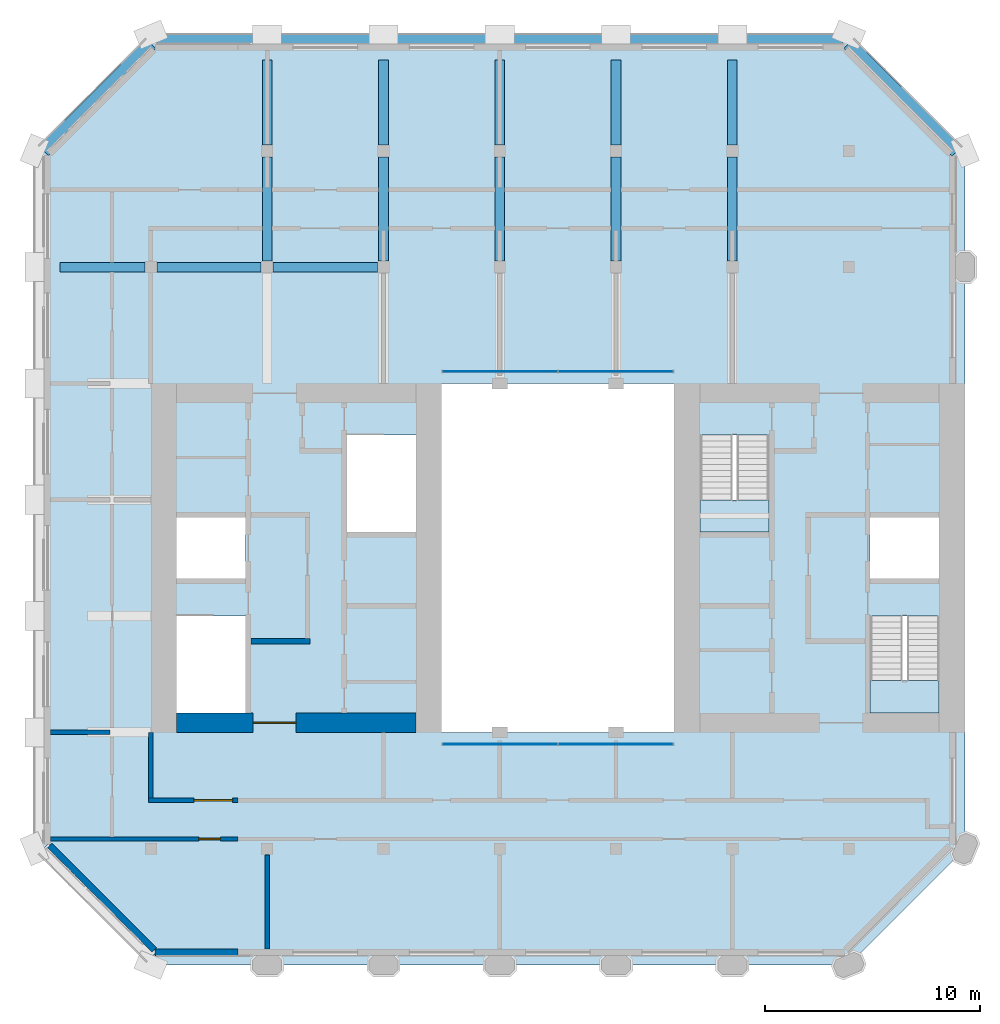
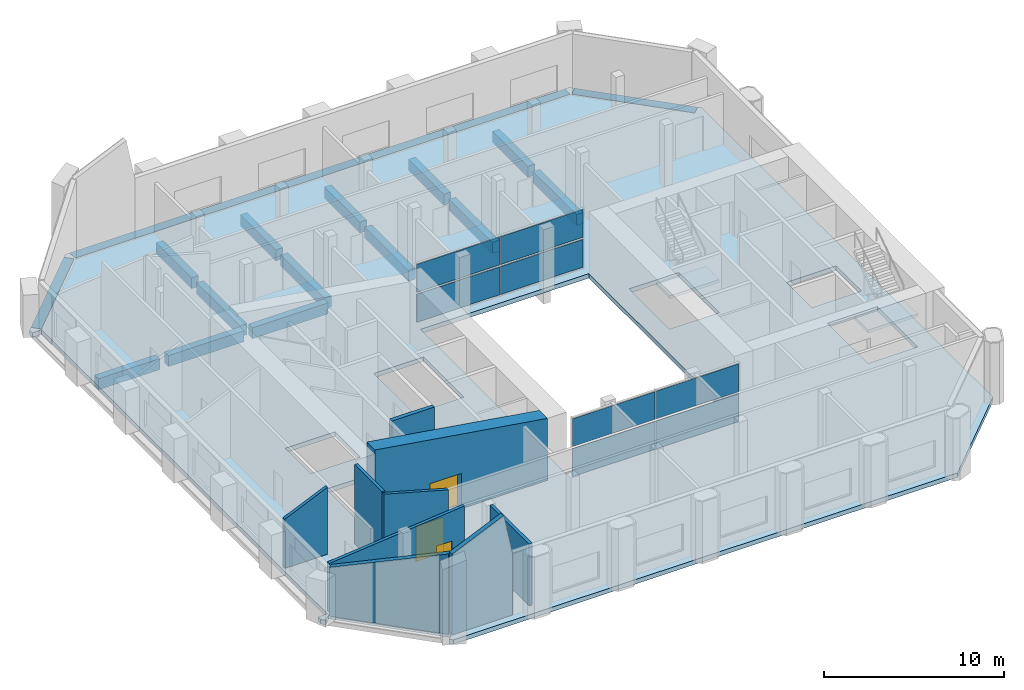
# One storey, part 5 of 11: 16 beams, 9 walls, 8 plates, 3 doors, 3 slabs, 3 openings, 4 elements without a shape of their own.
"""IFC4 building model written with IfcOpenShell, lengths in metres."""

from ifc_helpers import new_model, si_unit, direction, frame, frame_2d, origin, origin_2d, place, context, subcontext, project, spatial, polyline, rectangle, outline, extrude, material, layer, layer_set, material_profile, profile_set, type_object, element, fill, aggregate, save


model = new_model("IFC4")

# Units and contexts
model_context = context("Model", 3, precision=1e-05, world=origin(), true_north=direction((0.0, 1.0)))
body_context = subcontext(model_context, "Body", "Model", "MODEL_VIEW")
ifc_project = project(units=[si_unit("LENGTHUNIT", "METRE"), si_unit("AREAUNIT", "SQUARE_METRE"), si_unit("VOLUMEUNIT", "CUBIC_METRE"), si_unit("PLANEANGLEUNIT", "RADIAN"), si_unit("MASSUNIT", "GRAM", prefix="KILO")], contexts=[model_context])

# Site, building, storey
site_placement = place(None, origin())
site = spatial("IfcSite", under=ifc_project, at=site_placement, CompositionType="ELEMENT")
building_placement = place(site_placement, origin())
building = spatial("IfcBuilding", under=site, at=building_placement, Name="Tabaq Tower and Sports Hall", CompositionType="ELEMENT")
storey_placement = place(building_placement, frame((0.0, 0.0, 321.699951171875)))
storey = spatial("IfcBuildingStorey", under=building, at=storey_placement, Name="L80", CompositionType="ELEMENT", Elevation=321.699951171875)

# Beams
ifc_material_1 = material(Name="Concrete C40/50", Category="concrete")
ifc_material_profile_1 = material_profile(ifc_material_1, rectangle(XDim=0.449951171875, YDim=0.75, at=origin_2d()), Name="CB 450x750")
ifc_profile_set_1 = profile_set([ifc_material_profile_1], Name="Concrete C40/50")
beam_type_1 = type_object("IfcBeamType", Name="PT CANTILEVER BEAM CB 450x750 C40/50", PredefinedType="BEAM", material=ifc_profile_set_1)
beam_1_placement = place(storey_placement, frame((1.175048828125, 37.800048828125, -0.675048828125), z_axis=(1.0, 0.0, 0.0), x_axis=(0.0, 1.0, 0.0)))
element("IfcBeam", 1, at=beam_1_placement, inside=storey, type_object=beam_type_1, Name="Cantilever Beam L80 W7 span 1", PredefinedType="BEAM", context=body_context, shape_type="SweptSolid", body=[
    extrude(rectangle(XDim=0.449951171875, YDim=0.75, at=origin_2d()), origin(), (0.0, 0.0, 1.0), 3.949951171875),
])
beam_2_placement = place(storey_placement, frame((5.675048828125, 37.800048828125, -0.675048828125), z_axis=(1.0, 0.0, 0.0), x_axis=(0.0, 1.0, 0.0)))
element("IfcBeam", 2, at=beam_2_placement, inside=storey, type_object=beam_type_1, Name="Cantilever Beam L80 W7 span 2", PredefinedType="BEAM", context=body_context, shape_type="SweptSolid", body=[
    extrude(rectangle(XDim=0.449951171875, YDim=0.75, at=origin_2d()), origin(), (0.0, 0.0, 1.0), 4.849853515625),
])
beam_3_placement = place(storey_placement, frame((11.074951171875, 37.800048828125, -0.675048828125), z_axis=(1.0, 0.0, 0.0), x_axis=(0.0, 1.0, 0.0)))
element("IfcBeam", 3, at=beam_3_placement, inside=storey, type_object=beam_type_1, Name="Cantilever Beam L80 W7 span 3", PredefinedType="BEAM", context=body_context, shape_type="SweptSolid", body=[
    extrude(rectangle(XDim=0.449951171875, YDim=0.75, at=origin_2d()), origin(), (0.0, 0.0, 1.0), 4.85009765625),
])
beam_4_placement = place(storey_placement, frame((10.800048828125, 47.425048828125, -0.675048828125), z_axis=(0.0, -1.0, 0.0), x_axis=(1.0, 0.0, 0.0)))
element("IfcBeam", 4, at=beam_4_placement, inside=storey, type_object=beam_type_1, Name="Cantilever Beam L80 N2 span 1", PredefinedType="BEAM", context=body_context, shape_type="SweptSolid", body=[
    extrude(rectangle(XDim=0.449951171875, YDim=0.75, at=origin_2d()), origin(), (0.0, 0.0, 1.0), 3.949951171875),
])
beam_5_placement = place(storey_placement, frame((10.800048828125, 42.925048828125, -0.675048828125), z_axis=(0.0, -1.0, 0.0), x_axis=(1.0, 0.0, 0.0)))
element("IfcBeam", 5, at=beam_5_placement, inside=storey, type_object=beam_type_1, Name="Cantilever Beam L80 N2 span 2", PredefinedType="BEAM", context=body_context, shape_type="SweptSolid", body=[
    extrude(rectangle(XDim=0.449951171875, YDim=0.75, at=origin_2d()), origin(), (0.0, 0.0, 1.0), 4.85009765625),
])
beam_6_placement = place(storey_placement, frame((16.199951171875, 47.425048828125, -0.675048828125), z_axis=(0.0, -1.0, 0.0), x_axis=(1.0, 0.0, 0.0)))
element("IfcBeam", 6, at=beam_6_placement, inside=storey, type_object=beam_type_1, Name="Cantilever Beam L80 N3 span 1", PredefinedType="BEAM", context=body_context, shape_type="SweptSolid", body=[
    extrude(rectangle(XDim=0.449951171875, YDim=0.75, at=origin_2d()), origin(), (0.0, 0.0, 1.0), 3.949951171875),
])
beam_7_placement = place(storey_placement, frame((16.199951171875, 42.925048828125, -0.675048828125), z_axis=(0.0, -1.0, 0.0), x_axis=(1.0, 0.0, 0.0)))
element("IfcBeam", 7, at=beam_7_placement, inside=storey, type_object=beam_type_1, Name="Cantilever Beam L80 N3 span 2", PredefinedType="BEAM", context=body_context, shape_type="SweptSolid", body=[
    extrude(rectangle(XDim=0.449951171875, YDim=0.75, at=origin_2d()), origin(), (0.0, 0.0, 1.0), 4.85009765625),
])
beam_8_placement = place(storey_placement, frame((21.60009765625, 47.425048828125, -0.675048828125), z_axis=(0.0, -1.0, 0.0), x_axis=(1.0, 0.0, 0.0)))
element("IfcBeam", 8, at=beam_8_placement, inside=storey, type_object=beam_type_1, Name="Cantilever Beam L80 N4 span 1", PredefinedType="BEAM", context=body_context, shape_type="SweptSolid", body=[
    extrude(rectangle(XDim=0.449951171875, YDim=0.75, at=origin_2d()), origin(), (0.0, 0.0, 1.0), 3.949951171875),
])
beam_9_placement = place(storey_placement, frame((21.60009765625, 42.925048828125, -0.675048828125), z_axis=(0.0, -1.0, 0.0), x_axis=(1.0, 0.0, 0.0)))
element("IfcBeam", 9, at=beam_9_placement, inside=storey, type_object=beam_type_1, Name="Cantilever Beam L80 N4 span 2", PredefinedType="BEAM", context=body_context, shape_type="SweptSolid", body=[
    extrude(rectangle(XDim=0.449951171875, YDim=0.75, at=origin_2d()), origin(), (0.0, 0.0, 1.0), 4.85009765625),
])
beam_10_placement = place(storey_placement, frame((27.0, 47.425048828125, -0.675048828125), z_axis=(0.0, -1.0, 0.0), x_axis=(1.0, 0.0, 0.0)))
element("IfcBeam", 10, at=beam_10_placement, inside=storey, type_object=beam_type_1, Name="Cantilever Beam L80 N5 span 1", PredefinedType="BEAM", context=body_context, shape_type="SweptSolid", body=[
    extrude(rectangle(XDim=0.449951171875, YDim=0.75, at=origin_2d()), origin(), (0.0, 0.0, 1.0), 3.949951171875),
])
beam_11_placement = place(storey_placement, frame((27.0, 42.925048828125, -0.675048828125), z_axis=(0.0, -1.0, 0.0), x_axis=(1.0, 0.0, 0.0)))
element("IfcBeam", 11, at=beam_11_placement, inside=storey, type_object=beam_type_1, Name="Cantilever Beam L80 N5 span 2", PredefinedType="BEAM", context=body_context, shape_type="SweptSolid", body=[
    extrude(rectangle(XDim=0.449951171875, YDim=0.75, at=origin_2d()), origin(), (0.0, 0.0, 1.0), 4.85009765625),
])
beam_12_placement = place(storey_placement, frame((32.39990234375, 47.425048828125, -0.675048828125), z_axis=(0.0, -1.0, 0.0), x_axis=(1.0, 0.0, 0.0)))
element("IfcBeam", 12, at=beam_12_placement, inside=storey, type_object=beam_type_1, Name="Cantilever Beam L80 N6 span 1", PredefinedType="BEAM", context=body_context, shape_type="SweptSolid", body=[
    extrude(rectangle(XDim=0.449951171875, YDim=0.75, at=origin_2d()), origin(), (0.0, 0.0, 1.0), 3.949951171875),
])
beam_13_placement = place(storey_placement, frame((32.39990234375, 42.925048828125, -0.675048828125), z_axis=(0.0, -1.0, 0.0), x_axis=(1.0, 0.0, 0.0)))
element("IfcBeam", 13, at=beam_13_placement, inside=storey, type_object=beam_type_1, Name="Cantilever Beam L80 N6 span 2", PredefinedType="BEAM", context=body_context, shape_type="SweptSolid", body=[
    extrude(rectangle(XDim=0.449951171875, YDim=0.75, at=origin_2d()), origin(), (0.0, 0.0, 1.0), 4.85009765625),
])
ifc_material_2 = material(Name="Concrete C40/50", Category="concrete")
ifc_material_profile_2 = material_profile(ifc_material_2, rectangle(XDim=0.60009765625, YDim=0.300048828125, at=origin_2d()), Name="EB 600x300")
ifc_profile_set_2 = profile_set([ifc_material_profile_2], Name="Concrete C40/50")
beam_type_2 = type_object("IfcBeamType", Name="PT EDGE BEAM EB 600x300 C40/50", PredefinedType="SPANDREL", material=ifc_profile_set_2)
beam_14_placement = place(storey_placement, frame((42.81103515625, 43.16455078125, -0.14990234375), z_axis=(-0.707089559252, 0.707124002701, 0.0), x_axis=(-0.707124002701, -0.707089559252, 0.0)))
element("IfcBeam", 14, at=beam_14_placement, inside=storey, type_object=beam_type_2, Name="Edge Beam L80 1", PredefinedType="SPANDREL", context=body_context, shape_type="SweptSolid", body=[
    extrude(rectangle(XDim=0.60009765625, YDim=0.300048828125, at=origin_2d()), origin(), (0.0, 0.0, 1.0), 7.088134765625),
])
beam_15_placement = place(storey_placement, frame((37.50146484375, 48.300048828125, -0.14990234375), z_axis=(-1.0, 0.0, 0.0), x_axis=(0.0, -1.0, 0.0)))
element("IfcBeam", 15, at=beam_15_placement, inside=storey, type_object=beam_type_2, Name="Edge Beam L80 2", PredefinedType="SPANDREL", context=body_context, shape_type="SweptSolid", body=[
    extrude(rectangle(XDim=0.60009765625, YDim=0.300048828125, at=origin_2d()), origin(), (0.0, 0.0, 1.0), 31.802978515625),
])
beam_16_placement = place(storey_placement, frame((5.401123046875, 48.1767578125, -0.14990234375), z_axis=(-0.707106781187, -0.707106781187, 0.0), x_axis=(0.707106781187, -0.707106781187, 0.0)))
element("IfcBeam", 16, at=beam_16_placement, inside=storey, type_object=beam_type_2, Name="Edge Beam L80 3", PredefinedType="SPANDREL", context=body_context, shape_type="SweptSolid", body=[
    extrude(rectangle(XDim=0.60009765625, YDim=0.300048828125, at=origin_2d()), origin(), (0.0, 0.0, 1.0), 7.03955078125),
])

# Curtain wall, plates
ifc_material_3 = material(Name="Aluminium alloy 6063-T6 framed glazing", Category="aluminium")
curtain_wall_type = type_object("IfcCurtainWallType", Name="CW1 curtain wall", PredefinedType="USERDEFINED", material=ifc_material_3)
curtain_wall_1_placement = place(storey_placement, origin())
curtain_wall_1 = element("IfcCurtainWall", 17, at=curtain_wall_1_placement, inside=storey, type_object=curtain_wall_type, Name="Atrium glazing L80 S", ObjectType="ATRIUM ENCLOSURE", PredefinedType="USERDEFINED")
ifc_material_4 = material(Name="Clear low-emissivity glass 28 mm", Category="glass")
ifc_layer_1 = layer(ifc_material_4, 0.028076171875)
ifc_layer_set_1 = layer_set([ifc_layer_1], Name="CW1 glass panel 28")
plate_type = type_object("IfcPlateType", Name="CW1 glass panel 28", PredefinedType="CURTAIN_PANEL", material=ifc_layer_set_1)
plate_1_placement = place(storey_placement, frame((21.614990234375, 15.64990234375, 0.14013671875), z_axis=(0.0, 0.0, 1.0), x_axis=(1.0, 0.0, 0.0)))
plate_1 = element("IfcPlate", 18, at=plate_1_placement, type_object=plate_type, Name="CW1 panel 1.1", PredefinedType="CURTAIN_PANEL", context=body_context, shape_type="SweptSolid", body=[
    extrude(rectangle(XDim=5.31005859375, YDim=0.028076171875, at=origin_2d()), origin(), (0.0, 0.0, 1.0), 1.889892578125),
])
plate_2_placement = place(storey_placement, frame((21.614990234375, 15.64990234375, 2.169921875), z_axis=(0.0, 0.0, 1.0), x_axis=(1.0, 0.0, 0.0)))
plate_2 = element("IfcPlate", 19, at=plate_2_placement, type_object=plate_type, Name="CW1 panel 1.2", PredefinedType="CURTAIN_PANEL", context=body_context, shape_type="SweptSolid", body=[
    extrude(rectangle(XDim=5.31005859375, YDim=0.028076171875, at=origin_2d()), origin(), (0.0, 0.0, 1.0), 1.889892578125),
])
plate_3_placement = place(storey_placement, frame((26.985107421875, 15.64990234375, 0.14013671875), z_axis=(0.0, 0.0, 1.0), x_axis=(1.0, 0.0, 0.0)))
plate_3 = element("IfcPlate", 20, at=plate_3_placement, type_object=plate_type, Name="CW1 panel 2.1", PredefinedType="CURTAIN_PANEL", context=body_context, shape_type="SweptSolid", body=[
    extrude(rectangle(XDim=5.31005859375, YDim=0.028076171875, at=origin_2d()), origin(), (0.0, 0.0, 1.0), 1.889892578125),
])
plate_4_placement = place(storey_placement, frame((26.985107421875, 15.64990234375, 2.169921875), z_axis=(0.0, 0.0, 1.0), x_axis=(1.0, 0.0, 0.0)))
plate_4 = element("IfcPlate", 21, at=plate_4_placement, type_object=plate_type, Name="CW1 panel 2.2", PredefinedType="CURTAIN_PANEL", context=body_context, shape_type="SweptSolid", body=[
    extrude(rectangle(XDim=5.31005859375, YDim=0.028076171875, at=origin_2d()), origin(), (0.0, 0.0, 1.0), 1.889892578125),
])
aggregate(curtain_wall_1, [plate_1, plate_2, plate_3, plate_4])

curtain_wall_2_placement = place(storey_placement, origin())
curtain_wall_2 = element("IfcCurtainWall", 22, at=curtain_wall_2_placement, inside=storey, type_object=curtain_wall_type, Name="Atrium glazing L80 N", ObjectType="ATRIUM ENCLOSURE", PredefinedType="USERDEFINED")
plate_5_placement = place(storey_placement, frame((21.614990234375, 32.949951171875, 0.14013671875), z_axis=(0.0, 0.0, 1.0), x_axis=(1.0, 0.0, 0.0)))
plate_5 = element("IfcPlate", 23, at=plate_5_placement, type_object=plate_type, Name="CW1 panel 1.1", PredefinedType="CURTAIN_PANEL", context=body_context, shape_type="SweptSolid", body=[
    extrude(rectangle(XDim=5.31005859375, YDim=0.028076171875, at=origin_2d()), origin(), (0.0, 0.0, 1.0), 1.889892578125),
])
plate_6_placement = place(storey_placement, frame((21.614990234375, 32.949951171875, 2.169921875), z_axis=(0.0, 0.0, 1.0), x_axis=(1.0, 0.0, 0.0)))
plate_6 = element("IfcPlate", 24, at=plate_6_placement, type_object=plate_type, Name="CW1 panel 1.2", PredefinedType="CURTAIN_PANEL", context=body_context, shape_type="SweptSolid", body=[
    extrude(rectangle(XDim=5.31005859375, YDim=0.028076171875, at=origin_2d()), origin(), (0.0, 0.0, 1.0), 1.889892578125),
])
plate_7_placement = place(storey_placement, frame((26.985107421875, 32.949951171875, 0.14013671875), z_axis=(0.0, 0.0, 1.0), x_axis=(1.0, 0.0, 0.0)))
plate_7 = element("IfcPlate", 25, at=plate_7_placement, type_object=plate_type, Name="CW1 panel 2.1", PredefinedType="CURTAIN_PANEL", context=body_context, shape_type="SweptSolid", body=[
    extrude(rectangle(XDim=5.31005859375, YDim=0.028076171875, at=origin_2d()), origin(), (0.0, 0.0, 1.0), 1.889892578125),
])
plate_8_placement = place(storey_placement, frame((26.985107421875, 32.949951171875, 2.169921875), z_axis=(0.0, 0.0, 1.0), x_axis=(1.0, 0.0, 0.0)))
plate_8 = element("IfcPlate", 26, at=plate_8_placement, type_object=plate_type, Name="CW1 panel 2.2", PredefinedType="CURTAIN_PANEL", context=body_context, shape_type="SweptSolid", body=[
    extrude(rectangle(XDim=5.31005859375, YDim=0.028076171875, at=origin_2d()), origin(), (0.0, 0.0, 1.0), 1.889892578125),
])
aggregate(curtain_wall_2, [plate_5, plate_6, plate_7, plate_8])

# Stair, slab
ifc_material_5 = material(Name="Concrete C40/50", Category="concrete")
stair_type = type_object("IfcStairType", Name="Exit stair", PredefinedType="HALF_TURN_STAIR", material=ifc_material_5)
stair_1_placement = place(storey_placement, origin())
stair_1 = element("IfcStair", 27, at=stair_1_placement, inside=storey, type_object=stair_type, Name="L80 Exit stair ST3", PredefinedType="HALF_TURN_STAIR")
ifc_material_6 = material(Name="Concrete C40/50", Category="concrete")
ifc_layer_2 = layer(ifc_material_6, 0.199951171875)
ifc_layer_set_2 = layer_set([ifc_layer_2], Name="Exit stair landing")
slab_type_1 = type_object("IfcSlabType", Name="Exit stair landing", PredefinedType="LANDING", material=ifc_layer_set_2)
slab_1_placement = place(storey_placement, frame((0.0, 0.0, 2.050048828125)))
slab_1 = element("IfcSlab", 28, at=slab_1_placement, type_object=slab_type_1, Name="ST3 landing 1", PredefinedType="LANDING", context=body_context, shape_type="SweptSolid", body=[
    extrude(outline(polyline([(38.800048828125, 18.60009765625), (38.800048828125, 17.10009765625), (42.0, 17.10009765625), (42.0, 18.60009765625), (38.800048828125, 18.60009765625)])), origin(), (0.0, 0.0, 1.0), 0.199951171875),
])
aggregate(stair_1, [slab_1])

stair_2_placement = place(storey_placement, origin())
stair_2 = element("IfcStair", 29, at=stair_2_placement, inside=storey, type_object=stair_type, Name="L80 Exit stair ST4", PredefinedType="HALF_TURN_STAIR")
slab_2_placement = place(storey_placement, frame((0.0, 0.0, 2.050048828125)))
slab_2 = element("IfcSlab", 30, at=slab_2_placement, type_object=slab_type_1, Name="ST4 landing 1", PredefinedType="LANDING", context=body_context, shape_type="SweptSolid", body=[
    extrude(outline(polyline([(30.89990234375, 27.0), (30.89990234375, 25.5), (34.10009765625, 25.5), (34.10009765625, 27.0), (30.89990234375, 27.0)])), origin(), (0.0, 0.0, 1.0), 0.199951171875),
])
aggregate(stair_2, [slab_2])

# Slab
ifc_material_7 = material(Name="Concrete C40/50", Category="concrete")
ifc_layer_3 = layer(ifc_material_7, 0.300048828125)
ifc_layer_set_3 = layer_set([ifc_layer_3], Name="PT FLOOR SLAB 300 C40/50")
slab_type_2 = type_object("IfcSlabType", Name="PT FLOOR SLAB 300 C40/50", PredefinedType="FLOOR", material=ifc_layer_set_3)
slab_3_placement = place(storey_placement, frame((0.0, 0.0, -0.300048828125)))
element("IfcSlab", 31, at=slab_3_placement, inside=storey, type_object=slab_type_2, Name="Floor Slab L80", PredefinedType="FLOOR", context=body_context, shape_type="SweptSolid", body=[
    extrude(outline(polyline([(0.0, 11.0986328125), (0.0, 10.800048828125), (0.211181640625, 10.5888671875), (0.63525390625, 11.01318359375), (5.6474609375, 6.0009765625), (5.57666015625, 5.930419921875), (5.22314453125, 5.57666015625), (5.39990234375, 5.39990234375), (37.800048828125, 5.39990234375), (43.199951171875, 10.800048828125), (43.199951171875, 43.199951171875), (43.023193359375, 43.376708984375), (42.669677734375, 43.023193359375), (42.598876953125, 42.952392578125), (37.5869140625, 47.964599609375), (37.657470703125, 48.035400390625), (38.010986328125, 48.388916015625), (37.800048828125, 48.60009765625), (37.50146484375, 48.60009765625), (37.50146484375, 48.10009765625), (37.50146484375, 48.0), (5.698486328125, 48.0), (5.698486328125, 48.10009765625), (5.698486328125, 48.60009765625), (5.39990234375, 48.60009765625), (5.18896484375, 48.388916015625), (5.54248046875, 48.035400390625), (5.61328125, 47.964599609375), (0.63525390625, 42.98681640625), (0.211181640625, 43.4111328125), (0.0, 43.199951171875), (0.0, 42.9013671875), (0.5, 42.9013671875), (0.60009765625, 42.9013671875), (0.60009765625, 11.0986328125), (0.5, 11.0986328125), (0.0, 11.0986328125)]), holes=[polyline([(6.60009765625, 17.10009765625), (6.60009765625, 21.599365234375), (9.800048828125, 21.599365234375), (9.800048828125, 17.10009765625), (6.60009765625, 17.10009765625)]), polyline([(38.800048828125, 21.599365234375), (42.0, 21.599365234375), (42.0, 17.10009765625), (38.800048828125, 17.10009765625), (38.800048828125, 21.599365234375)]), polyline([(18.89990234375, 16.199951171875), (18.89990234375, 32.39990234375), (29.699951171875, 32.39990234375), (29.699951171875, 16.199951171875), (18.89990234375, 16.199951171875)]), polyline([(6.60009765625, 26.175048828125), (9.800048828125, 26.175048828125), (9.800048828125, 23.35009765625), (6.60009765625, 23.35009765625), (6.60009765625, 26.175048828125)]), polyline([(38.800048828125, 26.175048828125), (42.0, 26.175048828125), (42.0, 23.35009765625), (38.800048828125, 23.35009765625), (38.800048828125, 26.175048828125)]), polyline([(14.5, 29.99951171875), (17.699951171875, 29.99951171875), (17.699951171875, 25.5), (14.5, 25.5), (14.5, 29.99951171875)]), polyline([(30.89990234375, 29.99951171875), (34.10009765625, 29.99951171875), (34.10009765625, 25.5), (30.89990234375, 25.5), (30.89990234375, 29.99951171875)])]), origin(), (0.0, 0.0, 1.0), 0.300048828125),
])

# Wall, opening, door
ifc_material_8 = material(Name="Concrete C40/50", Category="concrete")
ifc_layer_4 = layer(ifc_material_8, 0.89990234375)
ifc_layer_set_4 = layer_set([ifc_layer_4], Name="Core wall 900 Concrete C40/50")
wall_type_1 = type_object("IfcWallType", Name="Core wall 900 Concrete C40/50", PredefinedType="SOLIDWALL", material=ifc_layer_set_4)
wall_1_placement = place(storey_placement, frame((17.699951171875, 16.64990234375, 0.0), z_axis=(0.0, 0.0, 1.0), x_axis=(-1.0, 0.0, 0.0)))
wall_1 = element("IfcWall", 32, at=wall_1_placement, inside=storey, type_object=wall_type_1, Name="Core wall W L80", PredefinedType="SOLIDWALL", context=body_context, shape_type="SweptSolid", body=[
    extrude(outline(polyline([(0.0, 0.0), (11.099853515625, 0.0), (11.10009765625, 5.933349609375), (0.0, 4.199951171875), (0.0, 0.0)])), frame((0.0, 0.449951171875, 0.0), z_axis=(0.0, -1.0, 0.0), x_axis=(1.0, 0.0, 0.0)), (0.0, 0.0, 1.0), 0.89990234375),
])
opening_1_placement = place(wall_1_placement, frame((5.550048828125, 0.0, 0.0)))
opening_1 = element("IfcOpeningElement", 33, at=opening_1_placement, cuts=wall_1, Name="Opening PD-WL80-01", PredefinedType="OPENING", context=body_context, shape_type="SweptSolid", body=[
    extrude(rectangle(XDim=2.0, YDim=2.39990234375, at=frame_2d((1.0, 1.199951171875))), frame((0.0, 0.449951171875, 0.0), z_axis=(0.0, -1.0, 0.0), x_axis=(1.0, 0.0, 0.0)), (0.0, 0.0, 1.0), 0.89990234375),
])
ifc_material_9 = material(Name="Steel fire door", Category="steel")
door_type_1 = type_object("IfcDoorType", Name="Core entrance door 2000", OperationType="DOUBLE_DOOR_SINGLE_SWING", PredefinedType="DOOR", material=ifc_material_9)
door_1_placement = place(opening_1_placement, origin())
door_1 = element("IfcDoor", 34, at=door_1_placement, inside=storey, type_object=door_type_1, Name="Core entrance south W L80", OperationType="DOUBLE_DOOR_SINGLE_SWING", OverallHeight=2.39990234375, OverallWidth=2.0, PredefinedType="DOOR", context=body_context, shape_type="SweptSolid", body=[
    extrude(rectangle(XDim=2.0, YDim=2.39990234375, at=frame_2d((1.0, 1.199951171875))), frame((0.0, 0.02490234375, 0.0), z_axis=(0.0, -1.0, 0.0), x_axis=(1.0, 0.0, 0.0)), (0.0, 0.0, 1.0), 0.050048828125),
])
fill(opening_1, door_1)

# Walls
ifc_material_10 = material(Name="Blockwork", Category="masonry")
ifc_layer_5 = layer(ifc_material_10, 0.199951171875)
ifc_layer_set_5 = layer_set([ifc_layer_5], Name="Fire compartment wall 200 Blockwork")
wall_type_2 = type_object("IfcWallType", Name="Fire compartment wall 200 Blockwork", PredefinedType="PARTITIONING", material=ifc_layer_set_5)
wall_2_placement = place(storey_placement, frame((3.5, 16.199951171875, 0.0), z_axis=(0.0, 0.0, 1.0), x_axis=(-1.0, 0.0, 0.0)))
element("IfcWall", 35, at=wall_2_placement, inside=storey, type_object=wall_type_2, Name="Compartment wall L80", PredefinedType="PARTITIONING", context=body_context, shape_type="SweptSolid", body=[
    extrude(outline(polyline([(0.0, 0.0), (2.7490234375, 0.0), (2.7490234375, 3.333740234375), (0.0, 4.5556640625), (0.0, 0.0)])), frame((0.0, 0.10009765625, 0.0), z_axis=(0.0, -1.0, 0.0), x_axis=(1.0, 0.0, 0.0)), (0.0, 0.0, 1.0), 0.199951171875),
])
wall_3_placement = place(storey_placement, frame((10.800048828125, 10.5048828125, 0.0), z_axis=(0.0, 0.0, 1.0), x_axis=(0.0, -1.0, 0.0)))
element("IfcWall", 36, at=wall_3_placement, inside=storey, type_object=wall_type_2, Name="Compartment wall L80", PredefinedType="PARTITIONING", context=body_context, shape_type="SweptSolid", body=[
    extrude(rectangle(XDim=4.35400390625, YDim=0.199951171875, at=frame_2d((2.177001953125, 0.0))), origin(), (0.0, 0.0, 1.0), 4.199951171875),
])

# Wall, opening, door
wall_4_placement = place(storey_placement, frame((0.7509765625, 11.25, 0.0), z_axis=(0.0, 0.0, 1.0), x_axis=(1.0, 0.0, 0.0)))
wall_4 = element("IfcWall", 37, at=wall_4_placement, inside=storey, type_object=wall_type_2, Name="Compartment wall L80", PredefinedType="PARTITIONING", context=body_context, shape_type="SweptSolid", body=[
    extrude(outline(polyline([(0.0, 0.0), (8.698974609375, 0.0), (8.698974609375, 4.199951171875), (0.0, 3.333740234375), (0.0, 0.0)])), frame((0.0, 0.10009765625, 0.0), z_axis=(0.0, -1.0, 0.0), x_axis=(1.0, 0.0, 0.0)), (0.0, 0.0, 1.0), 0.199951171875),
])
opening_2_placement = place(wall_4_placement, frame((6.882080078125, 0.0, 0.0)))
opening_2 = element("IfcOpeningElement", 38, at=opening_2_placement, cuts=wall_4, Name="Opening L80-013", PredefinedType="OPENING", context=body_context, shape_type="SweptSolid", body=[
    extrude(rectangle(XDim=1.0, YDim=2.10009765625, at=frame_2d((0.5, 1.050048828125))), frame((0.0, 0.10009765625, 0.0), z_axis=(0.0, -1.0, 0.0), x_axis=(1.0, 0.0, 0.0)), (0.0, 0.0, 1.0), 0.199951171875),
])
ifc_material_11 = material(Name="Steel fire door", Category="steel")
door_type_2 = type_object("IfcDoorType", Name="Plant room door 1000 right hand", OperationType="SINGLE_SWING_RIGHT", PredefinedType="DOOR", material=ifc_material_11)
door_2_placement = place(opening_2_placement, origin())
door_2 = element("IfcDoor", 39, at=door_2_placement, inside=storey, type_object=door_type_2, Name="Plant room door L80-013", OperationType="SINGLE_SWING_RIGHT", OverallHeight=2.10009765625, OverallWidth=1.0, PredefinedType="DOOR", context=body_context, shape_type="SweptSolid", body=[
    extrude(rectangle(XDim=1.0, YDim=2.10009765625, at=frame_2d((0.5, 1.050048828125))), frame((0.0, 0.02490234375, 0.0), z_axis=(0.0, -1.0, 0.0), x_axis=(1.0, 0.0, 0.0)), (0.0, 0.0, 1.0), 0.050048828125),
])
fill(opening_2, door_2)

wall_5_placement = place(storey_placement, frame((5.300048828125, 13.050048828125, 0.0), z_axis=(0.0, 0.0, 1.0), x_axis=(1.0, 0.0, 0.0)))
wall_5 = element("IfcWall", 40, at=wall_5_placement, inside=storey, type_object=wall_type_2, Name="Compartment wall L80", PredefinedType="PARTITIONING", context=body_context, shape_type="SweptSolid", body=[
    extrude(outline(polyline([(0.0, 0.0), (4.14990234375, 0.0), (4.14990234375, 4.199951171875), (0.0, 5.355712890625), (0.0, 0.0)])), frame((0.0, 0.10009765625, 0.0), z_axis=(0.0, -1.0, 0.0), x_axis=(1.0, 0.0, 0.0)), (0.0, 0.0, 1.0), 0.199951171875),
])
opening_3_placement = place(wall_5_placement, frame((2.10009765625, 0.0, 0.0)))
opening_3 = element("IfcOpeningElement", 41, at=opening_3_placement, cuts=wall_5, Name="Opening L80-021", PredefinedType="OPENING", context=body_context, shape_type="SweptSolid", body=[
    extrude(rectangle(XDim=1.800048828125, YDim=2.39990234375, at=frame_2d((0.89990234375, 1.199951171875))), frame((0.0, 0.10009765625, 0.0), z_axis=(0.0, -1.0, 0.0), x_axis=(1.0, 0.0, 0.0)), (0.0, 0.0, 1.0), 0.199951171875),
])
ifc_material_12 = material(Name="Steel fire door", Category="steel")
door_type_3 = type_object("IfcDoorType", Name="Plant room door 1800", OperationType="DOUBLE_DOOR_SINGLE_SWING", PredefinedType="DOOR", material=ifc_material_12)
door_3_placement = place(opening_3_placement, origin())
door_3 = element("IfcDoor", 42, at=door_3_placement, inside=storey, type_object=door_type_3, Name="Plant room door L80-021", OperationType="DOUBLE_DOOR_SINGLE_SWING", OverallHeight=2.39990234375, OverallWidth=1.800048828125, PredefinedType="DOOR", context=body_context, shape_type="SweptSolid", body=[
    extrude(rectangle(XDim=1.800048828125, YDim=2.39990234375, at=frame_2d((0.89990234375, 1.199951171875))), frame((0.0, 0.02490234375, 0.0), z_axis=(0.0, -1.0, 0.0), x_axis=(1.0, 0.0, 0.0)), (0.0, 0.0, 1.0), 0.050048828125),
])
fill(opening_3, door_3)

# Walls
wall_6_placement = place(storey_placement, frame((5.39990234375, 16.199951171875, 0.0), z_axis=(0.0, 0.0, 1.0), x_axis=(0.0, -1.0, 0.0)))
element("IfcWall", 43, at=wall_6_placement, inside=storey, type_object=wall_type_2, Name="Compartment wall L80", PredefinedType="PARTITIONING", context=body_context, shape_type="SweptSolid", body=[
    extrude(rectangle(XDim=3.050048828125, YDim=0.199951171875, at=frame_2d((1.52490234375, 0.0))), origin(), (0.0, 0.0, 1.0), 5.400146484375),
])
ifc_material_13 = material(Name="Concrete C40/50", Category="concrete")
ifc_layer_6 = layer(ifc_material_13, 0.25)
ifc_layer_set_6 = layer_set([ifc_layer_6], Name="Shaft and stair wall 250 Concrete C40/50")
wall_type_3 = type_object("IfcWallType", Name="Shaft and stair wall 250 Concrete C40/50", PredefinedType="SOLIDWALL", material=ifc_layer_set_6)
wall_7_placement = place(storey_placement, frame((10.050048828125, 20.425048828125, 0.0), z_axis=(0.0, 0.0, 1.0), x_axis=(1.0, 0.0, 0.0)))
element("IfcWall", 44, at=wall_7_placement, inside=storey, type_object=wall_type_3, Name="Fire-fighting lobby wall W L80", PredefinedType="SOLIDWALL", context=body_context, shape_type="SweptSolid", body=[
    extrude(rectangle(XDim=2.75, YDim=0.25, at=frame_2d((1.375, 0.0))), origin(), (0.0, 0.0, 1.0), 4.199951171875),
])
ifc_material_14 = material(Name="White precast concrete C60/75", Category="concrete")
ifc_layer_7 = layer(ifc_material_14, 0.300048828125)
ifc_layer_set_7 = layer_set([ifc_layer_7], Name="White precast concrete C60/75 external wall 300")
wall_type_4 = type_object("IfcWallType", Name="White precast concrete C60/75 external wall 300", PredefinedType="SOLIDWALL", material=ifc_layer_set_7)
wall_8_placement = place(storey_placement, frame((5.58642578125, 6.0, 0.0), z_axis=(0.0, 0.0, 1.0), x_axis=(1.0, 0.0, 0.0)))
element("IfcWall", 45, at=wall_8_placement, inside=storey, type_object=wall_type_4, Name="External Wall L80 S", PredefinedType="SOLIDWALL", context=body_context, shape_type="SweptSolid", body=[
    extrude(outline(polyline([(0.0, 0.0), (3.863525390625, 0.0), (3.863525390625, 4.199951171875), (3.311767578125, 6.954833984375), (2.759765625, 6.70947265625), (2.207763671875, 6.464111328125), (1.65576171875, 6.21875), (1.10400390625, 5.973388671875), (0.552001953125, 5.728271484375), (0.0, 5.48291015625), (0.0, 0.0)])), frame((0.0, 0.14990234375, 0.0), z_axis=(0.0, -1.0, 0.0), x_axis=(1.0, 0.0, 0.0)), (0.0, 0.0, 1.0), 0.300048828125),
])
wall_9_placement = place(storey_placement, frame((0.698974609375, 10.949462890625, 0.0), z_axis=(0.0, 0.0, 1.0), x_axis=(0.707106781187, -0.707106781187, 0.0)))
element("IfcWall", 46, at=wall_9_placement, inside=storey, type_object=wall_type_4, Name="External Wall L80 SW", PredefinedType="SOLIDWALL", context=body_context, shape_type="SweptSolid", body=[
    extrude(outline(polyline([(0.0, 0.0), (6.85986328125, 0.0), (6.859619140625, 5.466552734375), (6.2880859375, 5.286865234375), (5.71630859375, 5.107177734375), (5.144775390625, 4.927490234375), (4.5732421875, 4.747802734375), (4.00146484375, 4.568359375), (3.429931640625, 4.388671875), (2.858154296875, 4.208984375), (2.28662109375, 4.029296875), (1.71484375, 3.849609375), (1.143310546875, 3.669921875), (0.571533203125, 3.490478515625), (0.0, 3.310791015625), (0.0, 0.0)])), frame((0.0, 0.14990234375, 0.0), z_axis=(0.0, -1.0, 0.0), x_axis=(1.0, 0.0, 0.0)), (0.0, 0.0, 1.0), 0.300048828125),
])

save(model, "model.ifc")
